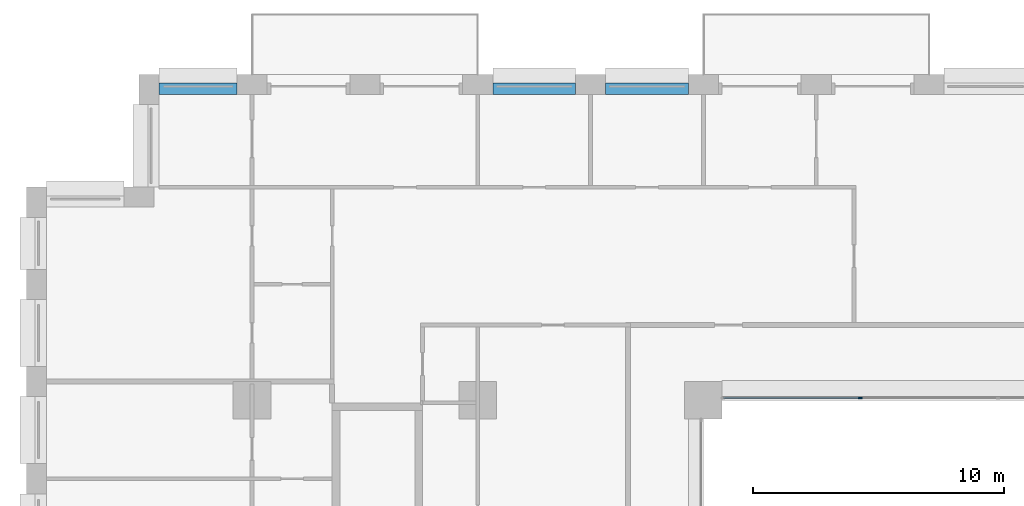
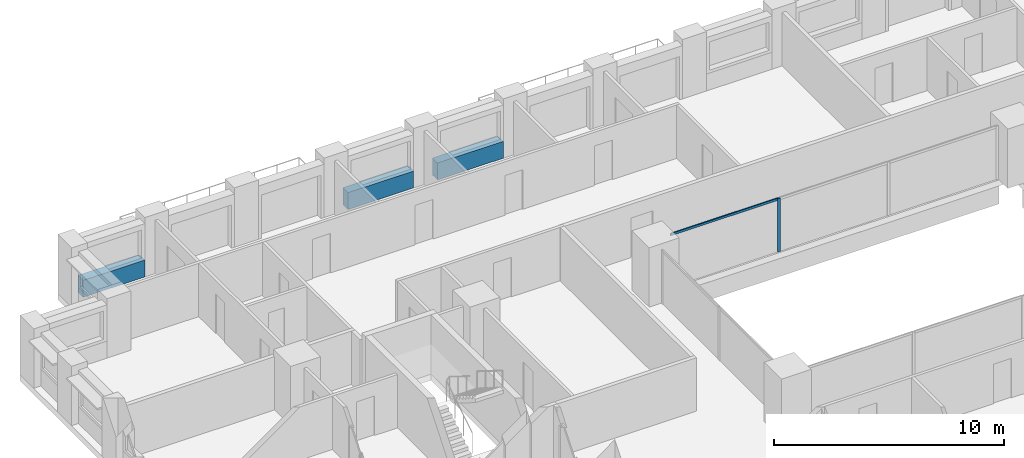
# One storey, part 6 of 20: 3 beams, 2 members, 1 element without a shape of its own.
"""IFC4 building model written with IfcOpenShell, lengths in metres."""

from ifc_helpers import new_model, si_unit, direction, frame, origin, origin_2d, place, context, subcontext, project, spatial, rectangle, extrude, material, layer, layer_set, material_profile, profile_set, type_object, element, aggregate, save


model = new_model("IFC4")

# Units and contexts
model_context = context("Model", 3, precision=1e-05, world=origin(), true_north=direction((0.0, 1.0)))
body_context = subcontext(model_context, "Body", "Model", "MODEL_VIEW")
ifc_project = project(units=[si_unit("LENGTHUNIT", "METRE"), si_unit("AREAUNIT", "SQUARE_METRE"), si_unit("VOLUMEUNIT", "CUBIC_METRE"), si_unit("PLANEANGLEUNIT", "RADIAN"), si_unit("MASSUNIT", "GRAM", prefix="KILO")], contexts=[model_context])

# Site, building, storey
site_placement = place(None, origin())
site = spatial("IfcSite", under=ifc_project, at=site_placement, CompositionType="ELEMENT")
building_placement = place(site_placement, origin())
building = spatial("IfcBuilding", under=site, at=building_placement, Name="Brigalow Station Residences", CompositionType="ELEMENT")
storey_placement = place(building_placement, frame((0.0, 0.0, 41.550048828125)))
storey = spatial("IfcBuildingStorey", under=building, at=storey_placement, Name="L11", CompositionType="ELEMENT", Elevation=41.550048828125)

# Curtain wall, members
ifc_material_1 = material(Name="Aluminium", Category="aluminium")
ifc_layer = layer(ifc_material_1, 0.14990234375)
ifc_layer_set = layer_set([ifc_layer], Name="ATRIUM FIRE-RATED GLAZING CURTAIN WALL")
curtain_wall_type = type_object("IfcCurtainWallType", Name="ATRIUM FIRE-RATED GLAZING CURTAIN WALL", PredefinedType="NOTDEFINED", material=ifc_layer_set)
curtain_wall_placement = place(storey_placement, origin())
curtain_wall = element("IfcCurtainWall", 1, at=curtain_wall_placement, inside=storey, type_object=curtain_wall_type, Name="L11/cw/atrium-N", PredefinedType="NOTDEFINED")
ifc_material_2 = material(Name="Aluminium", Category="aluminium")
ifc_material_profile_1 = material_profile(ifc_material_2, rectangle(XDim=0.06005859375, YDim=0.14990234375, at=origin_2d()), Name="ATRIUM FIRE-RATED GLAZING MULLION 60x150")
ifc_profile_set_1 = profile_set([ifc_material_profile_1], Name="Aluminium")
member_type_1 = type_object("IfcMemberType", Name="ATRIUM FIRE-RATED GLAZING MULLION 60x150", PredefinedType="MULLION", material=ifc_profile_set_1)
member_1_placement = place(storey_placement, frame((33.25, 35.60009765625, 0.0), z_axis=(0.0, 0.0, 1.0), x_axis=(0.0, -1.0, 0.0)))
member_1 = element("IfcMember", 2, at=member_1_placement, type_object=member_type_1, Name="L11/cw/atrium-N/M02", PredefinedType="MULLION", context=body_context, shape_type="SweptSolid", body=[
    extrude(rectangle(XDim=0.06005859375, YDim=0.14990234375, at=origin_2d()), origin(), (0.0, 0.0, 1.0), 2.829833984375),
])
ifc_material_3 = material(Name="Aluminium", Category="aluminium")
ifc_material_profile_2 = material_profile(ifc_material_3, rectangle(XDim=0.06005859375, YDim=0.1201171875, at=origin_2d()), Name="ATRIUM FIRE-RATED GLAZING TRANSOM 60x120")
ifc_profile_set_2 = profile_set([ifc_material_profile_2], Name="Aluminium")
member_type_2 = type_object("IfcMemberType", Name="ATRIUM FIRE-RATED GLAZING TRANSOM 60x120", PredefinedType="USERDEFINED", material=ifc_profile_set_2)
member_2_placement = place(storey_placement, frame((33.219970703125, 35.60009765625, 2.800048828125), z_axis=(-1.0, 0.0, 0.0), x_axis=(0.0, -1.0, 0.0)))
member_2 = element("IfcMember", 3, at=member_2_placement, type_object=member_type_2, Name="L11/cw/atrium-N/T02-00", ObjectType="TRANSOM", PredefinedType="USERDEFINED", context=body_context, shape_type="SweptSolid", body=[
    extrude(rectangle(XDim=0.06005859375, YDim=0.1201171875, at=origin_2d()), origin(), (0.0, 0.0, 1.0), 5.409912109375),
])
aggregate(curtain_wall, [member_1, member_2])

# Beams
ifc_material_4 = material(Name="Concrete C65", Category="concrete")
ifc_material_profile_3 = material_profile(ifc_material_4, rectangle(XDim=0.449951171875, YDim=0.89990234375, at=origin_2d()), Name="RC450x900")
ifc_profile_set_3 = profile_set([ifc_material_profile_3], Name="Concrete C65")
beam_type = type_object("IfcBeamType", Name="SPANDREL BEAM 450x900 C65", PredefinedType="SPANDREL", material=ifc_profile_set_3)
for number, where, z_axis, x_axis, name in (
    (4, (26.39990234375, 47.925048828125, 0.449951171875), (-1.0, 0.0, 0.0), (0.0, -1.0, 0.0), "L11/spandrel/W-L11-35"),
    (5, (21.89990234375, 47.925048828125, 0.449951171875), (-1.0, 0.0, 0.0), (0.0, -1.0, 0.0), "L11/spandrel/W-L11-36"),
):
    element("IfcBeam", number, at=place(storey_placement, frame(where, z_axis=z_axis, x_axis=x_axis)), inside=storey, type_object=beam_type, Name=name, PredefinedType="SPANDREL", context=body_context, shape_type="SweptSolid", body=[
        extrude(rectangle(XDim=0.449951171875, YDim=0.89990234375, at=origin_2d()), origin(), (0.0, 0.0, 1.0), 3.2998046875),
    ])
beam_placement = place(storey_placement, frame((8.39990234375, 47.925048828125, 0.449951171875), z_axis=(-1.0, 0.0, 0.0), x_axis=(0.0, -1.0, 0.0)))
element("IfcBeam", 6, at=beam_placement, inside=storey, type_object=beam_type, Name="L11/spandrel/W-L11-39", PredefinedType="SPANDREL", context=body_context, shape_type="SweptSolid", body=[
    extrude(rectangle(XDim=0.449951171875, YDim=0.89990234375, at=origin_2d()), origin(), (0.0, 0.0, 1.0), 3.099853515625),
])

save(model, "model.ifc")
